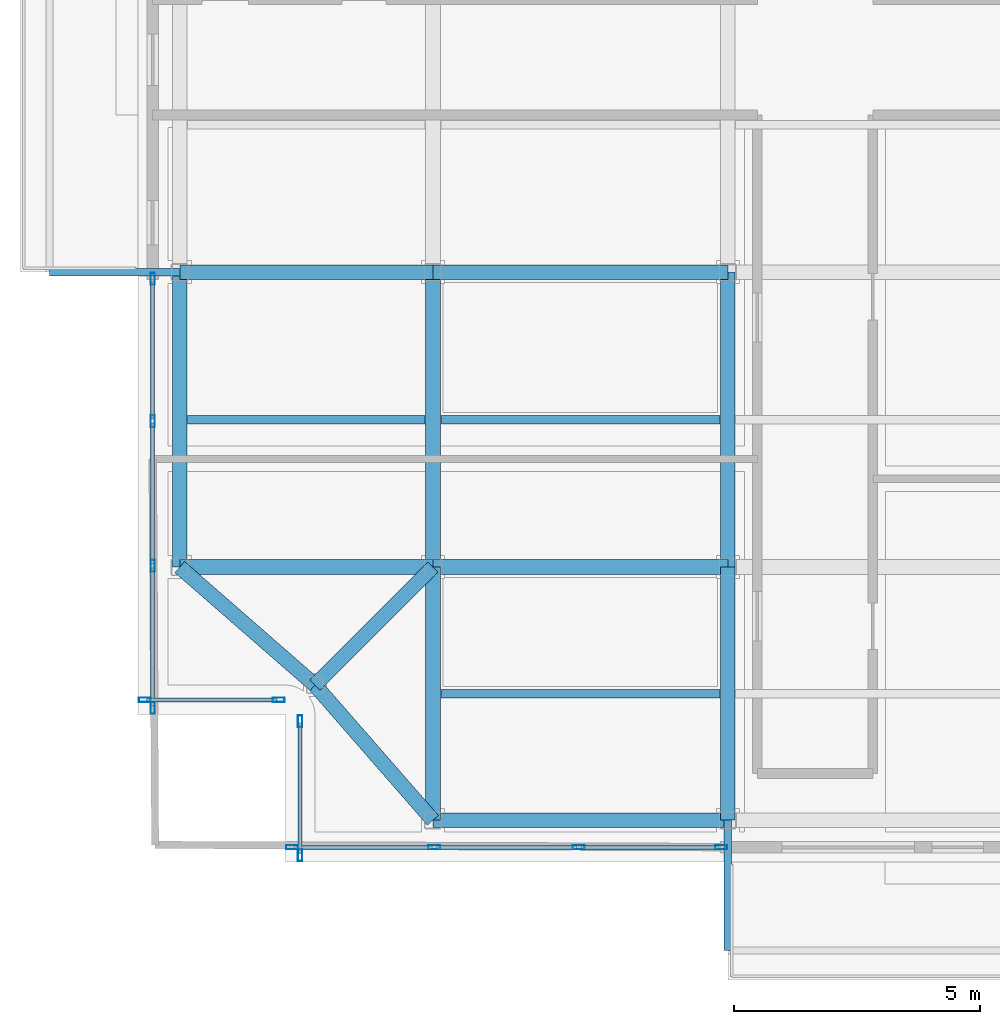
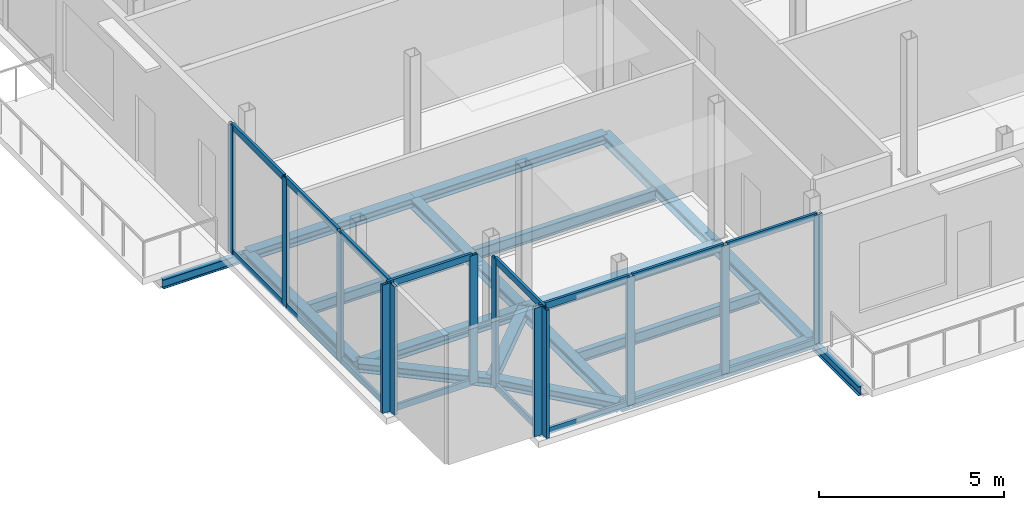
# One storey, part 2 of 16: 28 members, 18 beams, 4 elements without a shape of their own.
"""IFC4 building model written with IfcOpenShell, lengths in metres."""

from ifc_helpers import new_model, si_unit, direction, frame, origin, origin_2d, place, context, subcontext, project, spatial, hollow_rectangle, i_section, extrude, material, layer, layer_set, material_profile, profile_set, type_object, element, aggregate, save


model = new_model("IFC4")

# Units and contexts
model_context = context("Model", 3, precision=1e-05, world=origin(), true_north=direction((0.0, 1.0)))
body_context = subcontext(model_context, "Body", "Model", "MODEL_VIEW")
ifc_project = project(units=[si_unit("LENGTHUNIT", "METRE"), si_unit("AREAUNIT", "SQUARE_METRE"), si_unit("VOLUMEUNIT", "CUBIC_METRE"), si_unit("PLANEANGLEUNIT", "RADIAN"), si_unit("MASSUNIT", "GRAM", prefix="KILO"), si_unit("THERMODYNAMICTEMPERATUREUNIT", "KELVIN"), si_unit("POWERUNIT", "WATT")], contexts=[model_context])

# Site, building, storey
site_placement = place(None, origin())
site = spatial("IfcSite", under=ifc_project, at=site_placement, CompositionType="ELEMENT")
building_placement = place(site_placement, origin())
building = spatial("IfcBuilding", under=site, at=building_placement, Name="Svarakhadi Broadcast Tower", CompositionType="ELEMENT")
storey_placement = place(building_placement, frame((0.0, 0.0, 296.39990234375)))
storey = spatial("IfcBuildingStorey", under=building, at=storey_placement, Name="L75", CompositionType="ELEMENT", Elevation=296.39990234375)

# Beams
ifc_material_1 = material(Name="Steel S355J2 (IS 2062 E350C)", Category="steel")
ifc_material_profile_1 = material_profile(ifc_material_1, i_section(OverallWidth=0.169921875, OverallDepth=0.360107421875, WebThickness=0.008056640625, FlangeThickness=0.0126953125, FilletRadius=0.01806640625, at=origin_2d()), Name="NPB 360x170x57")
ifc_profile_set_1 = profile_set([ifc_material_profile_1], Name="Steel S355J2 (IS 2062 E350C)")
beam_type_1 = type_object("IfcBeamType", Name="Beam_NPB360", PredefinedType="BEAM", material=ifc_profile_set_1)
beam_1_placement = place(storey_placement, frame((1.010009765625, 9.0, -0.3798828125), z_axis=(1.0, 0.0, 0.0), x_axis=(0.0, 1.0, 0.0)))
element("IfcBeam", 1, at=beam_1_placement, inside=storey, type_object=beam_type_1, Name="L75 Secondary Composite Beam SB001", PredefinedType="BEAM", context=body_context, shape_type="SweptSolid", body=[
    extrude(i_section(OverallWidth=0.169921875, OverallDepth=0.360107421875, WebThickness=0.008056640625, FlangeThickness=0.0126953125, FilletRadius=0.01806640625, at=origin_2d()), origin(), (0.0, 0.0, 1.0), 4.830078125),
])
for number, where, z_axis, x_axis, name in (
    (2, (6.159912109375, 3.425048828125, -0.3798828125), (1.0, 0.0, 0.0), (0.0, 1.0, 0.0), "L75 Secondary Composite Beam SB004"),
    (3, (6.159912109375, 9.0, -0.3798828125), (1.0, 0.0, 0.0), (0.0, 1.0, 0.0), "L75 Secondary Composite Beam SB005"),
):
    element("IfcBeam", number, at=place(storey_placement, frame(where, z_axis=z_axis, x_axis=x_axis)), inside=storey, type_object=beam_type_1, Name=name, PredefinedType="BEAM", context=body_context, shape_type="SweptSolid", body=[
        extrude(i_section(OverallWidth=0.169921875, OverallDepth=0.360107421875, WebThickness=0.008056640625, FlangeThickness=0.0126953125, FilletRadius=0.01806640625, at=origin_2d()), origin(), (0.0, 0.0, 1.0), 5.68017578125),
    ])

# Curtain wall, members
ifc_material_2 = material(Name="Anodised Bronze Aluminium AA 6063-T6", Category="aluminium")
ifc_layer = layer(ifc_material_2, 0.239990234375)
ifc_layer_set = layer_set([ifc_layer], Name="Anodised Bronze Aluminium AA 6063-T6")
curtain_wall_type = type_object("IfcCurtainWallType", Name="CW_Sys_06", PredefinedType="NOTDEFINED", material=ifc_layer_set)
curtain_wall_1_placement = place(storey_placement, origin())
curtain_wall_1 = element("IfcCurtainWall", 4, at=curtain_wall_1_placement, inside=storey, type_object=curtain_wall_type, Name="L75 Unitised Facade Curtain Wall 01", PredefinedType="NOTDEFINED")
ifc_material_profile_2 = material_profile(ifc_material_2, hollow_rectangle(XDim=0.090087890625, YDim=0.239990234375, WallThickness=0.006103515625, at=origin_2d()), Name="ALU MULLION 240x90x6")
ifc_profile_set_2 = profile_set([ifc_material_profile_2], Name="Anodised Bronze Aluminium AA 6063-T6")
member_type_1 = type_object("IfcMemberType", Name="CW_Sys_06_Mul", PredefinedType="MULLION", material=ifc_profile_set_2)
member_1_placement = place(storey_placement, frame((2.864990234375, 3.300048828125, 0.0), z_axis=(0.0, 0.0, 1.0), x_axis=(0.0, -1.0, 0.0)))
member_1 = element("IfcMember", 5, at=member_1_placement, type_object=member_type_1, Name="CW-06 mullion 1", PredefinedType="MULLION", context=body_context, shape_type="SweptSolid", body=[
    extrude(hollow_rectangle(XDim=0.090087890625, YDim=0.239990234375, WallThickness=0.006103515625, at=origin_2d()), origin(), (0.0, 0.0, 1.0), 4.22509765625),
])
member_2_placement = place(storey_placement, frame((0.135009765625, 3.300048828125, 0.0), z_axis=(0.0, 0.0, 1.0), x_axis=(0.0, -1.0, 0.0)))
member_2 = element("IfcMember", 6, at=member_2_placement, type_object=member_type_1, Name="CW-06 mullion 2", PredefinedType="MULLION", context=body_context, shape_type="SweptSolid", body=[
    extrude(hollow_rectangle(XDim=0.090087890625, YDim=0.239990234375, WallThickness=0.006103515625, at=origin_2d()), origin(), (0.0, 0.0, 1.0), 4.22509765625),
])

curtain_wall_2_placement = place(storey_placement, origin())
curtain_wall_2 = element("IfcCurtainWall", 7, at=curtain_wall_2_placement, inside=storey, type_object=curtain_wall_type, Name="L75 West Curtain Wall 02", PredefinedType="NOTDEFINED")
member_3_placement = place(storey_placement, frame((0.300048828125, 3.135009765625, 0.0), z_axis=(0.0, 0.0, 1.0), x_axis=(-1.0, 0.0, 0.0)))
member_3 = element("IfcMember", 8, at=member_3_placement, type_object=member_type_1, Name="CW-06 mullion 1", PredefinedType="MULLION", context=body_context, shape_type="SweptSolid", body=[
    extrude(hollow_rectangle(XDim=0.090087890625, YDim=0.239990234375, WallThickness=0.006103515625, at=origin_2d()), origin(), (0.0, 0.0, 1.0), 4.22509765625),
])
member_4_placement = place(storey_placement, frame((0.300048828125, 6.030029296875, 0.0), z_axis=(0.0, 0.0, 1.0), x_axis=(-1.0, 0.0, 0.0)))
member_4 = element("IfcMember", 9, at=member_4_placement, type_object=member_type_1, Name="CW-06 mullion 2", PredefinedType="MULLION", context=body_context, shape_type="SweptSolid", body=[
    extrude(hollow_rectangle(XDim=0.090087890625, YDim=0.239990234375, WallThickness=0.006103515625, at=origin_2d()), origin(), (0.0, 0.0, 1.0), 4.22509765625),
])
member_5_placement = place(storey_placement, frame((0.300048828125, 8.969970703125, 0.0), z_axis=(0.0, 0.0, 1.0), x_axis=(-1.0, 0.0, 0.0)))
member_5 = element("IfcMember", 10, at=member_5_placement, type_object=member_type_1, Name="CW-06 mullion 3", PredefinedType="MULLION", context=body_context, shape_type="SweptSolid", body=[
    extrude(hollow_rectangle(XDim=0.090087890625, YDim=0.239990234375, WallThickness=0.006103515625, at=origin_2d()), origin(), (0.0, 0.0, 1.0), 4.22509765625),
])
member_6_placement = place(storey_placement, frame((0.300048828125, 11.864990234375, 0.0), z_axis=(0.0, 0.0, 1.0), x_axis=(-1.0, 0.0, 0.0)))
member_6 = element("IfcMember", 11, at=member_6_placement, type_object=member_type_1, Name="CW-06 mullion 4", PredefinedType="MULLION", context=body_context, shape_type="SweptSolid", body=[
    extrude(hollow_rectangle(XDim=0.090087890625, YDim=0.239990234375, WallThickness=0.006103515625, at=origin_2d()), origin(), (0.0, 0.0, 1.0), 4.22509765625),
])

curtain_wall_3_placement = place(storey_placement, origin())
curtain_wall_3 = element("IfcCurtainWall", 12, at=curtain_wall_3_placement, inside=storey, type_object=curtain_wall_type, Name="L75 South Curtain Wall 17", PredefinedType="NOTDEFINED")
member_7_placement = place(storey_placement, frame((11.864990234375, 0.300048828125, 0.0), z_axis=(0.0, 0.0, 1.0), x_axis=(0.0, -1.0, 0.0)))
member_7 = element("IfcMember", 13, at=member_7_placement, type_object=member_type_1, Name="CW-06 mullion 1", PredefinedType="MULLION", context=body_context, shape_type="SweptSolid", body=[
    extrude(hollow_rectangle(XDim=0.090087890625, YDim=0.239990234375, WallThickness=0.006103515625, at=origin_2d()), origin(), (0.0, 0.0, 1.0), 4.22509765625),
])
member_8_placement = place(storey_placement, frame((8.969970703125, 0.300048828125, 0.0), z_axis=(0.0, 0.0, 1.0), x_axis=(0.0, -1.0, 0.0)))
member_8 = element("IfcMember", 14, at=member_8_placement, type_object=member_type_1, Name="CW-06 mullion 2", PredefinedType="MULLION", context=body_context, shape_type="SweptSolid", body=[
    extrude(hollow_rectangle(XDim=0.090087890625, YDim=0.239990234375, WallThickness=0.006103515625, at=origin_2d()), origin(), (0.0, 0.0, 1.0), 4.22509765625),
])
member_9_placement = place(storey_placement, frame((6.030029296875, 0.300048828125, 0.0), z_axis=(0.0, 0.0, 1.0), x_axis=(0.0, -1.0, 0.0)))
member_9 = element("IfcMember", 15, at=member_9_placement, type_object=member_type_1, Name="CW-06 mullion 3", PredefinedType="MULLION", context=body_context, shape_type="SweptSolid", body=[
    extrude(hollow_rectangle(XDim=0.090087890625, YDim=0.239990234375, WallThickness=0.006103515625, at=origin_2d()), origin(), (0.0, 0.0, 1.0), 4.22509765625),
])
member_10_placement = place(storey_placement, frame((3.135009765625, 0.300048828125, 0.0), z_axis=(0.0, 0.0, 1.0), x_axis=(0.0, -1.0, 0.0)))
member_10 = element("IfcMember", 16, at=member_10_placement, type_object=member_type_1, Name="CW-06 mullion 4", PredefinedType="MULLION", context=body_context, shape_type="SweptSolid", body=[
    extrude(hollow_rectangle(XDim=0.090087890625, YDim=0.239990234375, WallThickness=0.006103515625, at=origin_2d()), origin(), (0.0, 0.0, 1.0), 4.22509765625),
])

curtain_wall_4_placement = place(storey_placement, origin())
curtain_wall_4 = element("IfcCurtainWall", 17, at=curtain_wall_4_placement, inside=storey, type_object=curtain_wall_type, Name="L75 Unitised Facade Curtain Wall 18", PredefinedType="NOTDEFINED")
member_11_placement = place(storey_placement, frame((3.300048828125, 0.135009765625, 0.0), z_axis=(0.0, 0.0, 1.0), x_axis=(-1.0, 0.0, 0.0)))
member_11 = element("IfcMember", 18, at=member_11_placement, type_object=member_type_1, Name="CW-06 mullion 1", PredefinedType="MULLION", context=body_context, shape_type="SweptSolid", body=[
    extrude(hollow_rectangle(XDim=0.090087890625, YDim=0.239990234375, WallThickness=0.006103515625, at=origin_2d()), origin(), (0.0, 0.0, 1.0), 4.22509765625),
])
member_12_placement = place(storey_placement, frame((3.300048828125, 2.864990234375, 0.0), z_axis=(0.0, 0.0, 1.0), x_axis=(-1.0, 0.0, 0.0)))
member_12 = element("IfcMember", 19, at=member_12_placement, type_object=member_type_1, Name="CW-06 mullion 2", PredefinedType="MULLION", context=body_context, shape_type="SweptSolid", body=[
    extrude(hollow_rectangle(XDim=0.090087890625, YDim=0.239990234375, WallThickness=0.006103515625, at=origin_2d()), origin(), (0.0, 0.0, 1.0), 4.22509765625),
])

# Member
ifc_material_profile_3 = material_profile(ifc_material_2, hollow_rectangle(XDim=0.080078125, YDim=0.2099609375, WallThickness=0.0048828125, at=origin_2d()), Name="ALU TRANSOM 210x80x5")
ifc_profile_set_3 = profile_set([ifc_material_profile_3], Name="Anodised Bronze Aluminium AA 6063-T6")
member_type_2 = type_object("IfcMemberType", Name="CW_Sys_06_Trn", PredefinedType="USERDEFINED", material=ifc_profile_set_3)
member_13_placement = place(storey_placement, frame((2.820068359375, 3.300048828125, 0.0400390625), z_axis=(-1.0, 0.0, 0.0), x_axis=(0.0, -1.0, 0.0)))
member_13 = element("IfcMember", 20, at=member_13_placement, type_object=member_type_2, Name="CW-06 transom 1.1", ObjectType="TRANSOM", PredefinedType="USERDEFINED", context=body_context, shape_type="SweptSolid", body=[
    extrude(hollow_rectangle(XDim=0.080078125, YDim=0.2099609375, WallThickness=0.0048828125, at=origin_2d()), origin(), (0.0, 0.0, 1.0), 2.64013671875),
])

member_14_placement = place(storey_placement, frame((2.820068359375, 3.300048828125, 4.18505859375), z_axis=(-1.0, 0.0, 0.0), x_axis=(0.0, -1.0, 0.0)))
member_14 = element("IfcMember", 21, at=member_14_placement, type_object=member_type_2, Name="CW-06 transom 1.2", ObjectType="TRANSOM", PredefinedType="USERDEFINED", context=body_context, shape_type="SweptSolid", body=[
    extrude(hollow_rectangle(XDim=0.080078125, YDim=0.2099609375, WallThickness=0.0048828125, at=origin_2d()), origin(), (0.0, 0.0, 1.0), 2.64013671875),
])

aggregate(curtain_wall_1, [member_1, member_2, member_13, member_14])

member_15_placement = place(storey_placement, frame((0.300048828125, 3.179931640625, 0.0400390625), z_axis=(0.0, 1.0, 0.0), x_axis=(-1.0, 0.0, 0.0)))
member_15 = element("IfcMember", 22, at=member_15_placement, type_object=member_type_2, Name="CW-06 transom 1.1", ObjectType="TRANSOM", PredefinedType="USERDEFINED", context=body_context, shape_type="SweptSolid", body=[
    extrude(hollow_rectangle(XDim=0.080078125, YDim=0.2099609375, WallThickness=0.0048828125, at=origin_2d()), origin(), (0.0, 0.0, 1.0), 2.80517578125),
])

member_16_placement = place(storey_placement, frame((0.300048828125, 3.179931640625, 4.18505859375), z_axis=(0.0, 1.0, 0.0), x_axis=(-1.0, 0.0, 0.0)))
member_16 = element("IfcMember", 23, at=member_16_placement, type_object=member_type_2, Name="CW-06 transom 1.2", ObjectType="TRANSOM", PredefinedType="USERDEFINED", context=body_context, shape_type="SweptSolid", body=[
    extrude(hollow_rectangle(XDim=0.080078125, YDim=0.2099609375, WallThickness=0.0048828125, at=origin_2d()), origin(), (0.0, 0.0, 1.0), 2.80517578125),
])

member_17_placement = place(storey_placement, frame((0.300048828125, 6.074951171875, 0.0400390625), z_axis=(0.0, 1.0, 0.0), x_axis=(-1.0, 0.0, 0.0)))
member_17 = element("IfcMember", 24, at=member_17_placement, type_object=member_type_2, Name="CW-06 transom 2.1", ObjectType="TRANSOM", PredefinedType="USERDEFINED", context=body_context, shape_type="SweptSolid", body=[
    extrude(hollow_rectangle(XDim=0.080078125, YDim=0.2099609375, WallThickness=0.0048828125, at=origin_2d()), origin(), (0.0, 0.0, 1.0), 2.85009765625),
])

member_18_placement = place(storey_placement, frame((0.300048828125, 6.074951171875, 4.18505859375), z_axis=(0.0, 1.0, 0.0), x_axis=(-1.0, 0.0, 0.0)))
member_18 = element("IfcMember", 25, at=member_18_placement, type_object=member_type_2, Name="CW-06 transom 2.2", ObjectType="TRANSOM", PredefinedType="USERDEFINED", context=body_context, shape_type="SweptSolid", body=[
    extrude(hollow_rectangle(XDim=0.080078125, YDim=0.2099609375, WallThickness=0.0048828125, at=origin_2d()), origin(), (0.0, 0.0, 1.0), 2.85009765625),
])

member_19_placement = place(storey_placement, frame((0.300048828125, 9.014892578125, 0.0400390625), z_axis=(0.0, 1.0, 0.0), x_axis=(-1.0, 0.0, 0.0)))
member_19 = element("IfcMember", 26, at=member_19_placement, type_object=member_type_2, Name="CW-06 transom 3.1", ObjectType="TRANSOM", PredefinedType="USERDEFINED", context=body_context, shape_type="SweptSolid", body=[
    extrude(hollow_rectangle(XDim=0.080078125, YDim=0.2099609375, WallThickness=0.0048828125, at=origin_2d()), origin(), (0.0, 0.0, 1.0), 2.80517578125),
])

member_20_placement = place(storey_placement, frame((0.300048828125, 9.014892578125, 4.18505859375), z_axis=(0.0, 1.0, 0.0), x_axis=(-1.0, 0.0, 0.0)))
member_20 = element("IfcMember", 27, at=member_20_placement, type_object=member_type_2, Name="CW-06 transom 3.2", ObjectType="TRANSOM", PredefinedType="USERDEFINED", context=body_context, shape_type="SweptSolid", body=[
    extrude(hollow_rectangle(XDim=0.080078125, YDim=0.2099609375, WallThickness=0.0048828125, at=origin_2d()), origin(), (0.0, 0.0, 1.0), 2.80517578125),
])

aggregate(curtain_wall_2, [member_3, member_4, member_5, member_6, member_15, member_16, member_17, member_18, member_19, member_20])

member_21_placement = place(storey_placement, frame((11.820068359375, 0.300048828125, 0.0400390625), z_axis=(-1.0, 0.0, 0.0), x_axis=(0.0, -1.0, 0.0)))
member_21 = element("IfcMember", 28, at=member_21_placement, type_object=member_type_2, Name="CW-06 transom 1.1", ObjectType="TRANSOM", PredefinedType="USERDEFINED", context=body_context, shape_type="SweptSolid", body=[
    extrude(hollow_rectangle(XDim=0.080078125, YDim=0.2099609375, WallThickness=0.0048828125, at=origin_2d()), origin(), (0.0, 0.0, 1.0), 2.80517578125),
])

member_22_placement = place(storey_placement, frame((11.820068359375, 0.300048828125, 4.18505859375), z_axis=(-1.0, 0.0, 0.0), x_axis=(0.0, -1.0, 0.0)))
member_22 = element("IfcMember", 29, at=member_22_placement, type_object=member_type_2, Name="CW-06 transom 1.2", ObjectType="TRANSOM", PredefinedType="USERDEFINED", context=body_context, shape_type="SweptSolid", body=[
    extrude(hollow_rectangle(XDim=0.080078125, YDim=0.2099609375, WallThickness=0.0048828125, at=origin_2d()), origin(), (0.0, 0.0, 1.0), 2.80517578125),
])

member_23_placement = place(storey_placement, frame((8.925048828125, 0.300048828125, 0.0400390625), z_axis=(-1.0, 0.0, 0.0), x_axis=(0.0, -1.0, 0.0)))
member_23 = element("IfcMember", 30, at=member_23_placement, type_object=member_type_2, Name="CW-06 transom 2.1", ObjectType="TRANSOM", PredefinedType="USERDEFINED", context=body_context, shape_type="SweptSolid", body=[
    extrude(hollow_rectangle(XDim=0.080078125, YDim=0.2099609375, WallThickness=0.0048828125, at=origin_2d()), origin(), (0.0, 0.0, 1.0), 2.85009765625),
])

member_24_placement = place(storey_placement, frame((8.925048828125, 0.300048828125, 4.18505859375), z_axis=(-1.0, 0.0, 0.0), x_axis=(0.0, -1.0, 0.0)))
member_24 = element("IfcMember", 31, at=member_24_placement, type_object=member_type_2, Name="CW-06 transom 2.2", ObjectType="TRANSOM", PredefinedType="USERDEFINED", context=body_context, shape_type="SweptSolid", body=[
    extrude(hollow_rectangle(XDim=0.080078125, YDim=0.2099609375, WallThickness=0.0048828125, at=origin_2d()), origin(), (0.0, 0.0, 1.0), 2.85009765625),
])

member_25_placement = place(storey_placement, frame((5.985107421875, 0.300048828125, 0.0400390625), z_axis=(-1.0, 0.0, 0.0), x_axis=(0.0, -1.0, 0.0)))
member_25 = element("IfcMember", 32, at=member_25_placement, type_object=member_type_2, Name="CW-06 transom 3.1", ObjectType="TRANSOM", PredefinedType="USERDEFINED", context=body_context, shape_type="SweptSolid", body=[
    extrude(hollow_rectangle(XDim=0.080078125, YDim=0.2099609375, WallThickness=0.0048828125, at=origin_2d()), origin(), (0.0, 0.0, 1.0), 2.80517578125),
])

member_26_placement = place(storey_placement, frame((5.985107421875, 0.300048828125, 4.18505859375), z_axis=(-1.0, 0.0, 0.0), x_axis=(0.0, -1.0, 0.0)))
member_26 = element("IfcMember", 33, at=member_26_placement, type_object=member_type_2, Name="CW-06 transom 3.2", ObjectType="TRANSOM", PredefinedType="USERDEFINED", context=body_context, shape_type="SweptSolid", body=[
    extrude(hollow_rectangle(XDim=0.080078125, YDim=0.2099609375, WallThickness=0.0048828125, at=origin_2d()), origin(), (0.0, 0.0, 1.0), 2.80517578125),
])

aggregate(curtain_wall_3, [member_7, member_8, member_9, member_10, member_21, member_22, member_23, member_24, member_25, member_26])

member_27_placement = place(storey_placement, frame((3.300048828125, 0.179931640625, 0.0400390625), z_axis=(0.0, 1.0, 0.0), x_axis=(-1.0, 0.0, 0.0)))
member_27 = element("IfcMember", 34, at=member_27_placement, type_object=member_type_2, Name="CW-06 transom 1.1", ObjectType="TRANSOM", PredefinedType="USERDEFINED", context=body_context, shape_type="SweptSolid", body=[
    extrude(hollow_rectangle(XDim=0.080078125, YDim=0.2099609375, WallThickness=0.0048828125, at=origin_2d()), origin(), (0.0, 0.0, 1.0), 2.64013671875),
])

member_28_placement = place(storey_placement, frame((3.300048828125, 0.179931640625, 4.18505859375), z_axis=(0.0, 1.0, 0.0), x_axis=(-1.0, 0.0, 0.0)))
member_28 = element("IfcMember", 35, at=member_28_placement, type_object=member_type_2, Name="CW-06 transom 1.2", ObjectType="TRANSOM", PredefinedType="USERDEFINED", context=body_context, shape_type="SweptSolid", body=[
    extrude(hollow_rectangle(XDim=0.080078125, YDim=0.2099609375, WallThickness=0.0048828125, at=origin_2d()), origin(), (0.0, 0.0, 1.0), 2.64013671875),
])

aggregate(curtain_wall_4, [member_11, member_12, member_27, member_28])

# Beams
ifc_material_profile_4 = material_profile(ifc_material_1, i_section(OverallWidth=0.300048828125, OverallDepth=0.300048828125, WebThickness=0.010986328125, FlangeThickness=0.01904296875, FilletRadius=0.027099609375, at=origin_2d()), Name="WPB 300x300x117")
ifc_profile_set_4 = profile_set([ifc_material_profile_4], Name="Steel S355J2 (IS 2062 E350C)")
beam_type_2 = type_object("IfcBeamType", Name="Girder_WPB300", PredefinedType="USERDEFINED", material=ifc_profile_set_4)
beam_2_placement = place(storey_placement, frame((3.60009765625, 3.60009765625, -0.349853515625), z_axis=(0.707106781187, 0.707106781187, 0.0), x_axis=(-0.707106781187, 0.707106781187, 0.0)))
element("IfcBeam", 36, at=beam_2_placement, inside=storey, type_object=beam_type_2, Name="L75 Corner Tie Girder G001", ObjectType="GIRDER", PredefinedType="USERDEFINED", context=body_context, shape_type="SweptSolid", body=[
    extrude(i_section(OverallWidth=0.300048828125, OverallDepth=0.300048828125, WebThickness=0.010986328125, FlangeThickness=0.01904296875, FilletRadius=0.027099609375, at=origin_2d()), origin(), (0.0, 0.0, 1.0), 3.39404296875),
])
for number, where, z_axis, x_axis, name in (
    (37, (3.60009765625, 3.60009765625, -0.349853515625), (-0.753437912176, 0.657519058655, 0.0), (-0.657519058655, -0.753437912176, 0.0), "L75 Corner Tie Girder G002"),
    (38, (3.60009765625, 3.60009765625, -0.349853515625), (0.657519058655, -0.753437912176, 0.0), (0.753437912176, 0.657519058655, 0.0), "L75 Corner Tie Girder G003"),
):
    element("IfcBeam", number, at=place(storey_placement, frame(where, z_axis=z_axis, x_axis=x_axis)), inside=storey, type_object=beam_type_2, Name=name, ObjectType="GIRDER", PredefinedType="USERDEFINED", context=body_context, shape_type="SweptSolid", body=[
        extrude(i_section(OverallWidth=0.300048828125, OverallDepth=0.300048828125, WebThickness=0.010986328125, FlangeThickness=0.01904296875, FilletRadius=0.027099609375, at=origin_2d()), origin(), (0.0, 0.0, 1.0), 3.64990234375),
    ])
beam_3_placement = place(storey_placement, frame((6.0, 0.85009765625, -0.349853515625), z_axis=(1.0, 0.0, 0.0), x_axis=(0.0, 1.0, 0.0)))
element("IfcBeam", 39, at=beam_3_placement, inside=storey, type_object=beam_type_2, Name="L75 Primary E-W Girder G004", ObjectType="GIRDER", PredefinedType="USERDEFINED", context=body_context, shape_type="SweptSolid", body=[
    extrude(i_section(OverallWidth=0.300048828125, OverallDepth=0.300048828125, WebThickness=0.010986328125, FlangeThickness=0.01904296875, FilletRadius=0.027099609375, at=origin_2d()), origin(), (0.0, 0.0, 1.0), 6.0),
])
beam_4_placement = place(storey_placement, frame((0.85009765625, 6.0, -0.349853515625), z_axis=(1.0, 0.0, 0.0), x_axis=(0.0, 1.0, 0.0)))
element("IfcBeam", 40, at=beam_4_placement, inside=storey, type_object=beam_type_2, Name="L75 Primary E-W Girder G008", ObjectType="GIRDER", PredefinedType="USERDEFINED", context=body_context, shape_type="SweptSolid", body=[
    extrude(i_section(OverallWidth=0.300048828125, OverallDepth=0.300048828125, WebThickness=0.010986328125, FlangeThickness=0.01904296875, FilletRadius=0.027099609375, at=origin_2d()), origin(), (0.0, 0.0, 1.0), 5.14990234375),
])
beam_5_placement = place(storey_placement, frame((6.0, 6.0, -0.349853515625), z_axis=(1.0, 0.0, 0.0), x_axis=(0.0, 1.0, 0.0)))
element("IfcBeam", 41, at=beam_5_placement, inside=storey, type_object=beam_type_2, Name="L75 Primary E-W Girder G009", ObjectType="GIRDER", PredefinedType="USERDEFINED", context=body_context, shape_type="SweptSolid", body=[
    extrude(i_section(OverallWidth=0.300048828125, OverallDepth=0.300048828125, WebThickness=0.010986328125, FlangeThickness=0.01904296875, FilletRadius=0.027099609375, at=origin_2d()), origin(), (0.0, 0.0, 1.0), 6.0),
])
beam_6_placement = place(storey_placement, frame((0.85009765625, 12.0, -0.349853515625), z_axis=(1.0, 0.0, 0.0), x_axis=(0.0, 1.0, 0.0)))
element("IfcBeam", 42, at=beam_6_placement, inside=storey, type_object=beam_type_2, Name="L75 Primary E-W Girder G013", ObjectType="GIRDER", PredefinedType="USERDEFINED", context=body_context, shape_type="SweptSolid", body=[
    extrude(i_section(OverallWidth=0.300048828125, OverallDepth=0.300048828125, WebThickness=0.010986328125, FlangeThickness=0.01904296875, FilletRadius=0.027099609375, at=origin_2d()), origin(), (0.0, 0.0, 1.0), 5.14990234375),
])
for number, where, z_axis, x_axis, name in (
    (43, (6.0, 12.0, -0.349853515625), (1.0, 0.0, 0.0), (0.0, 1.0, 0.0), "L75 Primary E-W Girder G014"),
    (44, (0.85009765625, 6.0, -0.349853515625), (0.0, 1.0, 0.0), (-1.0, 0.0, 0.0), "L75 Primary N-S Girder G026"),
):
    element("IfcBeam", number, at=place(storey_placement, frame(where, z_axis=z_axis, x_axis=x_axis)), inside=storey, type_object=beam_type_2, Name=name, ObjectType="GIRDER", PredefinedType="USERDEFINED", context=body_context, shape_type="SweptSolid", body=[
        extrude(i_section(OverallWidth=0.300048828125, OverallDepth=0.300048828125, WebThickness=0.010986328125, FlangeThickness=0.01904296875, FilletRadius=0.027099609375, at=origin_2d()), origin(), (0.0, 0.0, 1.0), 6.0),
    ])
beam_7_placement = place(storey_placement, frame((6.0, 0.85009765625, -0.349853515625), z_axis=(0.0, 1.0, 0.0), x_axis=(-1.0, 0.0, 0.0)))
element("IfcBeam", 45, at=beam_7_placement, inside=storey, type_object=beam_type_2, Name="L75 Primary N-S Girder G029", ObjectType="GIRDER", PredefinedType="USERDEFINED", context=body_context, shape_type="SweptSolid", body=[
    extrude(i_section(OverallWidth=0.300048828125, OverallDepth=0.300048828125, WebThickness=0.010986328125, FlangeThickness=0.01904296875, FilletRadius=0.027099609375, at=origin_2d()), origin(), (0.0, 0.0, 1.0), 5.14990234375),
])
beam_8_placement = place(storey_placement, frame((6.0, 6.0, -0.349853515625), z_axis=(0.0, 1.0, 0.0), x_axis=(-1.0, 0.0, 0.0)))
element("IfcBeam", 46, at=beam_8_placement, inside=storey, type_object=beam_type_2, Name="L75 Primary N-S Girder G030", ObjectType="GIRDER", PredefinedType="USERDEFINED", context=body_context, shape_type="SweptSolid", body=[
    extrude(i_section(OverallWidth=0.300048828125, OverallDepth=0.300048828125, WebThickness=0.010986328125, FlangeThickness=0.01904296875, FilletRadius=0.027099609375, at=origin_2d()), origin(), (0.0, 0.0, 1.0), 6.0),
])
beam_9_placement = place(storey_placement, frame((12.0, 0.85009765625, -0.349853515625), z_axis=(0.0, 1.0, 0.0), x_axis=(-1.0, 0.0, 0.0)))
element("IfcBeam", 47, at=beam_9_placement, inside=storey, type_object=beam_type_2, Name="L75 Primary N-S Girder G033", ObjectType="GIRDER", PredefinedType="USERDEFINED", context=body_context, shape_type="SweptSolid", body=[
    extrude(i_section(OverallWidth=0.300048828125, OverallDepth=0.300048828125, WebThickness=0.010986328125, FlangeThickness=0.01904296875, FilletRadius=0.027099609375, at=origin_2d()), origin(), (0.0, 0.0, 1.0), 5.14990234375),
])
beam_10_placement = place(storey_placement, frame((12.0, 6.0, -0.349853515625), z_axis=(0.0, 1.0, 0.0), x_axis=(-1.0, 0.0, 0.0)))
element("IfcBeam", 48, at=beam_10_placement, inside=storey, type_object=beam_type_2, Name="L75 Primary N-S Girder G034", ObjectType="GIRDER", PredefinedType="USERDEFINED", context=body_context, shape_type="SweptSolid", body=[
    extrude(i_section(OverallWidth=0.300048828125, OverallDepth=0.300048828125, WebThickness=0.010986328125, FlangeThickness=0.01904296875, FilletRadius=0.027099609375, at=origin_2d()), origin(), (0.0, 0.0, 1.0), 6.0),
])
ifc_material_profile_5 = material_profile(ifc_material_1, i_section(OverallWidth=0.14990234375, OverallDepth=0.300048828125, WebThickness=0.007080078125, FlangeThickness=0.0107421875, FilletRadius=0.014892578125, at=origin_2d()), Name="NPB 300x150x37")
ifc_profile_set_5 = profile_set([ifc_material_profile_5], Name="Steel S355J2 (IS 2062 E350C)")
beam_type_3 = type_object("IfcBeamType", Name="Spandrel_NPB300", PredefinedType="SPANDREL", material=ifc_profile_set_5)
for number, where, z_axis, x_axis, name in (
    (49, (12.0, 0.85009765625, -0.375), (0.0, -1.0, 0.0), (1.0, 0.0, 0.0), "L75 Balcony Cantilever Bracket 1A"),
    (50, (0.85009765625, 12.0, -0.375), (-1.0, 0.0, 0.0), (0.0, -1.0, 0.0), "L75 Balcony Cantilever Bracket 2A"),
):
    element("IfcBeam", number, at=place(storey_placement, frame(where, z_axis=z_axis, x_axis=x_axis)), inside=storey, type_object=beam_type_3, Name=name, PredefinedType="SPANDREL", context=body_context, shape_type="SweptSolid", body=[
        extrude(i_section(OverallWidth=0.14990234375, OverallDepth=0.300048828125, WebThickness=0.007080078125, FlangeThickness=0.0107421875, FilletRadius=0.014892578125, at=origin_2d()), origin(), (0.0, 0.0, 1.0), 2.650146484375),
    ])

save(model, "model.ifc")
